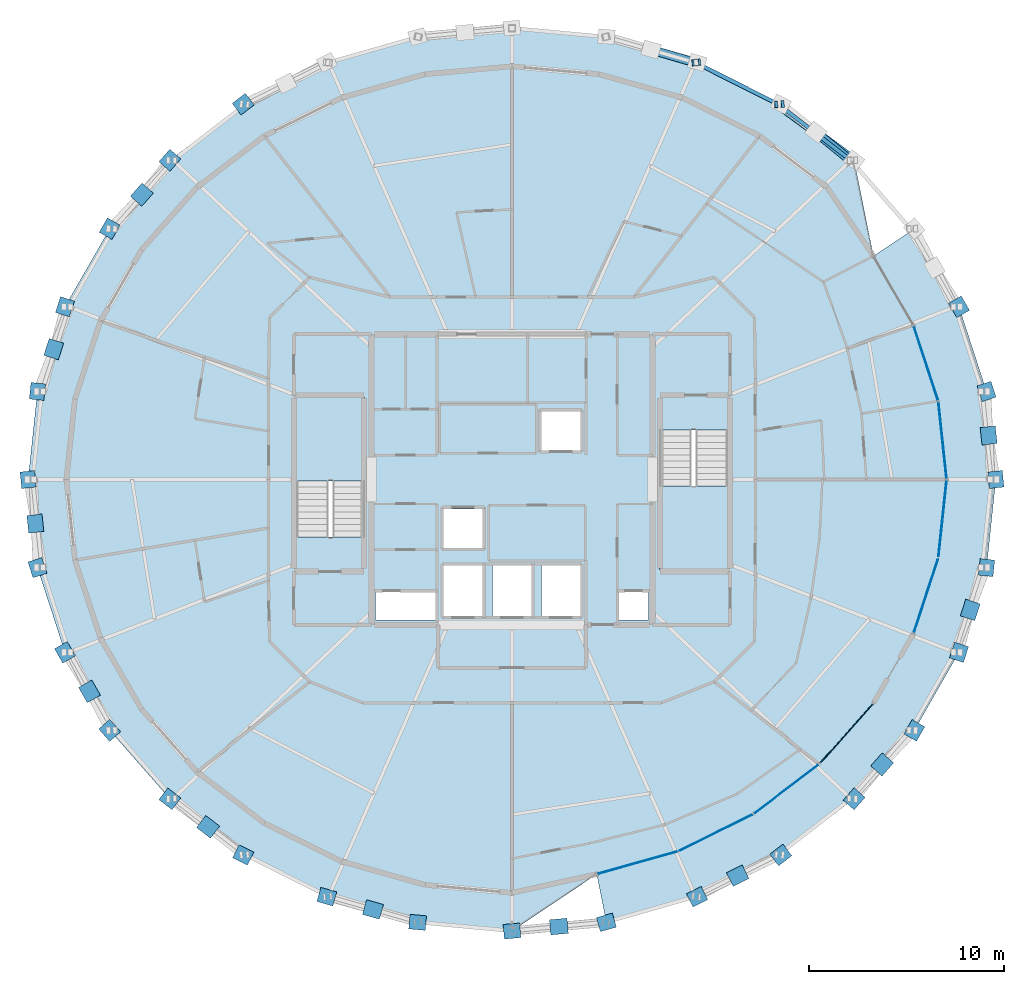
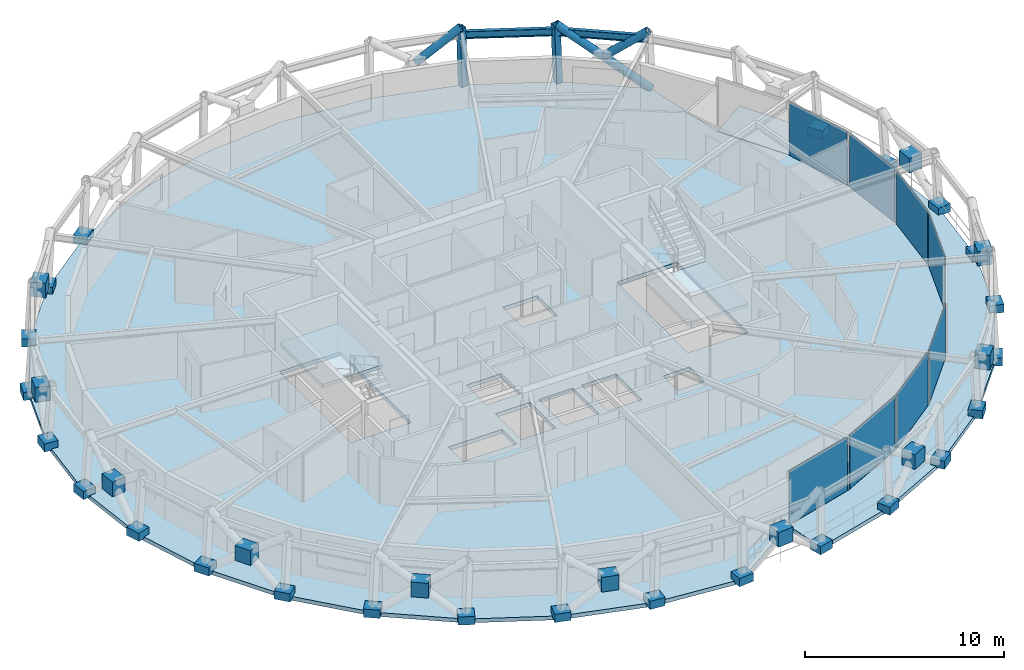
# One storey, part 11 of 17: 43 plates, 5 members, 4 slabs, 2 beams, 4 elements without a shape of their own.
"""IFC4 building model written with IfcOpenShell, lengths in metres."""

import ifcopenshell
import ifcopenshell.guid

model = None  # the IFC model being written
_history = None  # IfcOwnerHistory: only IFC2X3 demands one
_inside = {}  # id of a spatial element -> (the spatial element, [elements in it])
_under = {}  # id of a project, library or spatial element -> (it, [spatial elements below it])
_declared = {}  # id of a project -> (the project, [libraries it declares])
_typed = {}  # id of a type object -> (the type object, [elements of that type])
_made_of = {}  # id of a material, layer set ... -> (it, [elements and type objects made of it])


def new_model(schema):
    """Start an empty IFC model of exactly this schema.

    Asked for "IFC4X3", IfcOpenShell would pick the latest addendum, in which some entities
    have other attributes; the version numbers below select the first issue.
    IFC2X3 requires an IfcOwnerHistory on every rooted entity: one is made here for all.
    """
    global model, _history
    if schema == "IFC4X3":
        model = ifcopenshell.file(schema_version=(4, 3, 0, 0))
    else:
        model = ifcopenshell.file(schema=schema)
    _inside.clear()
    _under.clear()
    _declared.clear()
    _typed.clear()
    _made_of.clear()
    _history = None
    if model.schema == "IFC2X3":
        org = make("IfcOrganization", Name="unknown")
        user = make(
            "IfcPersonAndOrganization",
            ThePerson=make("IfcPerson", FamilyName="unknown"),
            TheOrganization=org,
        )
        app = make(
            "IfcApplication",
            ApplicationDeveloper=org,
            Version="unknown",
            ApplicationFullName="unknown",
            ApplicationIdentifier="unknown",
        )
        _history = make(
            "IfcOwnerHistory",
            OwningUser=user,
            OwningApplication=app,
            ChangeAction="ADDED",
            CreationDate=0,
        )
    return model


def make(cls, **values):
    """One entity of the class cls with the attributes given. An attribute that is None is left unset."""
    return model.create_entity(
        cls, **{name: value for name, value in values.items() if value is not None}
    )


def rooted(cls, **values):
    """An entity with a GlobalId (a new one), such as an element, a storey or a relation."""
    return make(cls, GlobalId=ifcopenshell.guid.new(), OwnerHistory=_history, **values)


def si_unit(unit_type, name, prefix=None):
    """IfcSIUnit, for example si_unit("LENGTHUNIT", "METRE", prefix="MILLI")."""
    return make("IfcSIUnit", UnitType=unit_type, Prefix=prefix, Name=name)


def assignment(units):
    """IfcUnitAssignment: the units of a project."""
    return None if units is None else make("IfcUnitAssignment", Units=units)


def point(xyz):
    """IfcCartesianPoint."""
    return None if xyz is None else make("IfcCartesianPoint", Coordinates=xyz)


def direction(xyz):
    """IfcDirection."""
    return None if xyz is None else make("IfcDirection", DirectionRatios=xyz)


def frame(location, z_axis=None, x_axis=None):
    """IfcAxis2Placement3D, a coordinate frame: its origin and axes. An axis left out is left unset."""
    return make(
        "IfcAxis2Placement3D",
        Location=point(location),
        Axis=direction(z_axis),
        RefDirection=direction(x_axis),
    )


def frame_2d(location, x_axis=None):
    """IfcAxis2Placement2D, a coordinate frame in the plane: its origin and x axis."""
    return make(
        "IfcAxis2Placement2D", Location=point(location), RefDirection=direction(x_axis)
    )


def origin():
    """The frame at (0, 0, 0) with its axes left unset."""
    return frame((0.0, 0.0, 0.0))


def origin_2d():
    """The frame at (0, 0) in the plane with its x axis left unset."""
    return frame_2d((0.0, 0.0))


def place(relative_to, where):
    """IfcLocalPlacement: puts the frame where relative to a parent placement (None: the world)."""
    return make(
        "IfcLocalPlacement", PlacementRelTo=relative_to, RelativePlacement=where
    )


def context(
    kind, dimensions, precision=None, world=None, true_north=None, identifier=None
):
    """IfcGeometricRepresentationContext, for example the 3D "Model" context."""
    return make(
        "IfcGeometricRepresentationContext",
        ContextIdentifier=identifier,
        ContextType=kind,
        CoordinateSpaceDimension=dimensions,
        Precision=precision,
        WorldCoordinateSystem=world,
        TrueNorth=true_north,
    )


def subcontext(parent, identifier, kind, view, scale=None):
    """IfcGeometricRepresentationSubContext, for example "Body" below "Model"."""
    return make(
        "IfcGeometricRepresentationSubContext",
        ContextIdentifier=identifier,
        ContextType=kind,
        ParentContext=parent,
        TargetScale=scale,
        TargetView=view,
    )


def project(units=None, contexts=None):
    """IfcProject with its units and contexts."""
    return rooted(
        "IfcProject",
        Name="project",
        RepresentationContexts=contexts,
        UnitsInContext=assignment(units),
    )


def spatial(cls, under=None, at=None, **own):
    """A site, building, storey or space (cls), placed at a placement, below another one or the project."""
    s = rooted(cls, ObjectPlacement=at, **own)
    if under is not None:
        _under.setdefault(under.id(), (under, []))[1].append(s)
    return s


def polyline(points):
    """IfcPolyline through the points."""
    return make("IfcPolyline", Points=[point(p) for p in points])


def profile(cls, at=None, kind="AREA", **sizes):
    """A parametric profile (cls). Its sizes go by their IFC names, for example OverallWidth=200.0."""
    return make(cls, ProfileType=kind, Position=at, **sizes)


def rectangle(**sizes):
    """IfcRectangleProfileDef."""
    return profile("IfcRectangleProfileDef", **sizes)


def hollow_rectangle(**sizes):
    """IfcRectangleHollowProfileDef."""
    return profile("IfcRectangleHollowProfileDef", **sizes)


def hollow_circle(**sizes):
    """IfcCircleHollowProfileDef."""
    return profile("IfcCircleHollowProfileDef", **sizes)


def i_section(**sizes):
    """IfcIShapeProfileDef."""
    return profile("IfcIShapeProfileDef", **sizes)


def outline(outer, holes=None, kind="AREA"):
    """IfcArbitraryClosedProfileDef: a profile drawn as a closed curve; with holes, ...WithVoids."""
    if holes is None:
        return make("IfcArbitraryClosedProfileDef", ProfileType=kind, OuterCurve=outer)
    return make(
        "IfcArbitraryProfileDefWithVoids",
        ProfileType=kind,
        OuterCurve=outer,
        InnerCurves=holes,
    )


def extrude(swept, where, along, depth):
    """IfcExtrudedAreaSolid: the profile swept, set in the frame where, extruded along a direction by depth."""
    return make(
        "IfcExtrudedAreaSolid",
        SweptArea=swept,
        Position=where,
        ExtrudedDirection=direction(along),
        Depth=depth,
    )


def shape(context_of_items, identifier, shape_type, items):
    """IfcShapeRepresentation: the items that make up one representation, for example the "Body"."""
    return make(
        "IfcShapeRepresentation",
        ContextOfItems=context_of_items,
        RepresentationIdentifier=identifier,
        RepresentationType=shape_type,
        Items=items,
    )


def material(Name=None, Category=None):
    """IfcMaterial."""
    return make("IfcMaterial", Name=Name, Category=Category)


def layer(
    of_material, thickness, ventilated=None, Name=None, Category=None, Priority=None
):
    """IfcMaterialLayer: one layer of a wall or slab, of a material (None: an air gap)."""
    return make(
        "IfcMaterialLayer",
        Material=of_material,
        LayerThickness=thickness,
        IsVentilated=ventilated,
        Name=Name,
        Category=Category,
        Priority=Priority,
    )


def layer_set(layers, Name=None):
    """IfcMaterialLayerSet."""
    return make("IfcMaterialLayerSet", MaterialLayers=layers, LayerSetName=Name)


def material_profile(
    of_material, cross_section, Name=None, Category=None, Priority=None
):
    """IfcMaterialProfile: a cross section and its material."""
    return make(
        "IfcMaterialProfile",
        Name=Name,
        Material=of_material,
        Profile=cross_section,
        Priority=Priority,
        Category=Category,
    )


def profile_set(profiles, Name=None, composite=None):
    """IfcMaterialProfileSet."""
    return make(
        "IfcMaterialProfileSet",
        Name=Name,
        MaterialProfiles=profiles,
        CompositeProfile=composite,
    )


def made_of(thing, what):
    """Note that an element or type object is made of a material, layer set ...; save() writes the relation."""
    if what is not None:
        _made_of.setdefault(what.id(), (what, []))[1].append(thing)
    return thing


def type_object(cls, material=None, **own):
    """A type object (cls), such as IfcWallType, which elements share."""
    return made_of(rooted(cls, **own), material)


def element(
    cls,
    number,
    at=None,
    inside=None,
    cuts=None,
    type_object=None,
    material=None,
    context=None,
    identifier="Body",
    shape_type=None,
    held_by="IfcProductDefinitionShape",
    body=None,
    shapes=None,
    **own,
):
    """One element of the class cls, such as IfcWall. Its Tag is "e" and its number.

    at: its placement. inside: the storey or other place that contains it. cuts: it is an
    opening in that element (IfcRelVoidsElement). A single representation is given by context,
    identifier, shape_type and body (its items); several are given by shapes. held_by: the class
    of the entity that holds the representations. save() writes the other relations.
    """
    e = rooted(cls, Tag="e%d" % number, ObjectPlacement=at, **own)
    if body is not None:
        shapes = [shape(context, identifier, shape_type, body)]
    if shapes is not None:
        e.Representation = make(held_by, Representations=shapes)
    if inside is not None:
        _inside.setdefault(inside.id(), (inside, []))[1].append(e)
    if cuts is not None:
        rooted(
            "IfcRelVoidsElement", RelatingBuildingElement=cuts, RelatedOpeningElement=e
        )
    if type_object is not None:
        _typed.setdefault(type_object.id(), (type_object, []))[1].append(e)
    return made_of(e, material)


def aggregate(whole, parts):
    """IfcRelAggregates: a whole, such as a stair, and the parts it consists of."""
    return rooted("IfcRelAggregates", RelatingObject=whole, RelatedObjects=parts)


def save(model, path):
    """Write the relations noted so far, then the file.

    IfcRelAggregates (storeys below a building ...), IfcRelContainedInSpatialStructure (elements
    in a storey), IfcRelDefinesByType, IfcRelAssociatesMaterial and IfcRelDeclares: one each for
    every whole, place, type object, material and project.
    """
    for whole, parts in _under.values():
        aggregate(whole, parts)
    for where, things in _inside.values():
        rooted(
            "IfcRelContainedInSpatialStructure",
            RelatedElements=things,
            RelatingStructure=where,
        )
    for kind, things in _typed.values():
        rooted("IfcRelDefinesByType", RelatedObjects=things, RelatingType=kind)
    for what, things in _made_of.values():
        rooted("IfcRelAssociatesMaterial", RelatedObjects=things, RelatingMaterial=what)
    for by, libraries in _declared.values():
        rooted("IfcRelDeclares", RelatingContext=by, RelatedDefinitions=libraries)
    model.write(path)


model = new_model("IFC4")

# Units and contexts
model_context = context("Model", 3, precision=1e-05, world=origin(), true_north=direction((0.0, 1.0)))
body_context = subcontext(model_context, "Body", "Model", "MODEL_VIEW")
ifc_project = project(units=[si_unit("LENGTHUNIT", "METRE"), si_unit("AREAUNIT", "SQUARE_METRE"), si_unit("VOLUMEUNIT", "CUBIC_METRE"), si_unit("PLANEANGLEUNIT", "RADIAN"), si_unit("MASSUNIT", "GRAM", prefix="KILO")], contexts=[model_context])

# Site, building, storey
site_placement = place(None, origin())
site = spatial("IfcSite", under=ifc_project, at=site_placement, CompositionType="ELEMENT")
building_placement = place(site_placement, origin())
building = spatial("IfcBuilding", under=site, at=building_placement, Name="Veldorina Hangang Commons", CompositionType="ELEMENT")
storey_placement = place(building_placement, frame((0.0, 0.0, 225.60009765625)))
storey = spatial("IfcBuildingStorey", under=building, at=storey_placement, Name="L58", CompositionType="ELEMENT", Elevation=225.60009765625)

# Beams
ifc_material_1 = material(Name="Steel SM355-TMC", Category="steel")
ifc_material_profile_1 = material_profile(ifc_material_1, i_section(OverallWidth=0.199951171875, OverallDepth=0.449951171875, WebThickness=0.009033203125, FlangeThickness=0.013916015625, FilletRadius=0.01611328125, at=origin_2d()), Name="H-450x200x9x14")
ifc_profile_set_1 = profile_set([ifc_material_profile_1], Name="Steel SM355-TMC")
beam_type = type_object("IfcBeamType", Name="BM-RB450", PredefinedType="BEAM", material=ifc_profile_set_1)
beam_1_placement = place(storey_placement, frame((49.37255859375, 40.356689453125, 3.135009765625), z_axis=(-0.791312388502, 0.611412057293, 0.0), x_axis=(-0.611412057293, -0.791312388502, 0.0)))
element("IfcBeam", 1, at=beam_1_placement, inside=storey, type_object=beam_type, Name="L58 perimeter hoop ring beam 04", PredefinedType="BEAM", context=body_context, shape_type="SweptSolid", body=[
    extrude(i_section(OverallWidth=0.199951171875, OverallDepth=0.449951171875, WebThickness=0.009033203125, FlangeThickness=0.013916015625, FilletRadius=0.01611328125, at=origin_2d()), origin(), (0.0, 0.0, 1.0), 4.705078125),
])
beam_2_placement = place(storey_placement, frame((45.6494140625, 43.2333984375, 3.135009765625), z_axis=(-0.893243145292, 0.449573890911, 0.0), x_axis=(-0.449573890911, -0.893243145292, 0.0)))
element("IfcBeam", 2, at=beam_2_placement, inside=storey, type_object=beam_type, Name="L58 perimeter hoop ring beam 05", PredefinedType="BEAM", context=body_context, shape_type="SweptSolid", body=[
    extrude(i_section(OverallWidth=0.199951171875, OverallDepth=0.449951171875, WebThickness=0.009033203125, FlangeThickness=0.013916015625, FilletRadius=0.01611328125, at=origin_2d()), origin(), (0.0, 0.0, 1.0), 4.7548828125),
])

# Members
ifc_material_profile_2 = material_profile(ifc_material_1, hollow_circle(Radius=0.22509765625, WallThickness=0.02197265625, at=origin_2d()), Name="CHS-450x22")
ifc_profile_set_2 = profile_set([ifc_material_profile_2], Name="Steel SM355-TMC")
member_type_1 = type_object("IfcMemberType", Name="DG-CHS450", PredefinedType="BRACE", material=ifc_profile_set_2)
member_1_placement = place(storey_placement, frame((49.53662109375, 40.364013671875, 0.0), z_axis=(-0.647062785432, 0.475105850204, 0.5963087982), x_axis=(-0.591844045149, -0.806052495947, 0.0)))
element("IfcMember", 3, at=member_1_placement, inside=storey, type_object=member_type_1, Name="L58 continuous perimeter diagrid brace 04", PredefinedType="BRACE", context=body_context, shape_type="SweptSolid", body=[
    extrude(hollow_circle(Radius=0.22509765625, WallThickness=0.02197265625, at=origin_2d()), origin(), (0.0, 0.0, 1.0), 6.036865234375),
])
member_2_placement = place(storey_placement, frame((47.57666015625, 41.802978515625, 1.80615234375), z_axis=(0.609405596795, -0.497871606643, 0.617048362686), x_axis=(0.632679684757, 0.774413595242, 0.0)))
element("IfcMember", 4, at=member_2_placement, inside=storey, type_object=member_type_1, Name="L58 split perimeter diagrid upper brace 05", PredefinedType="BRACE", context=body_context, shape_type="SweptSolid", body=[
    extrude(hollow_circle(Radius=0.22509765625, WallThickness=0.02197265625, at=origin_2d()), origin(), (0.0, 0.0, 1.0), 2.906982421875),
])
member_3_placement = place(storey_placement, frame((39.126708984375, 46.03662109375, 1.808837890625), z_axis=(0.763884492069, -0.225224739082, 0.60477623935), x_axis=(0.282805158285, 0.95917737799, 0.0)))
element("IfcMember", 5, at=member_3_placement, inside=storey, type_object=member_type_1, Name="L58 split perimeter diagrid upper brace 07", PredefinedType="BRACE", context=body_context, shape_type="SweptSolid", body=[
    extrude(hollow_circle(Radius=0.22509765625, WallThickness=0.02197265625, at=origin_2d()), origin(), (0.0, 0.0, 1.0), 2.96142578125),
])
ifc_material_profile_3 = material_profile(ifc_material_1, hollow_rectangle(XDim=0.35009765625, YDim=0.35009765625, WallThickness=0.01611328125, at=origin_2d()), Name="SHS-350x350x16")
ifc_profile_set_3 = profile_set([ifc_material_profile_3], Name="Steel SM355-TMC")
member_type_2 = type_object("IfcMemberType", Name="STR-SHS350", PredefinedType="STRUT", material=ifc_profile_set_3)
member_4_placement = place(storey_placement, frame((45.778564453125, 43.2421875, 0.0), z_axis=(-0.041131500621, -0.002778239745, 0.999149879168), x_axis=(0.067391746744, -0.997726592044, 0.0)))
element("IfcMember", 6, at=member_4_placement, inside=storey, type_object=member_type_2, Name="L58 perimeter ring node post 05", PredefinedType="STRUT", context=body_context, shape_type="SweptSolid", body=[
    extrude(hollow_rectangle(XDim=0.35009765625, YDim=0.35009765625, WallThickness=0.01611328125, at=origin_2d()), origin(), (0.0, 0.0, 1.0), 3.60302734375),
])
member_5_placement = place(storey_placement, frame((41.49072265625, 45.380859375, 0.0), z_axis=(-0.028269332956, -0.003118439607, 0.999595478255), x_axis=(0.109646640294, -0.993970630488, 0.0)))
element("IfcMember", 7, at=member_5_placement, inside=storey, type_object=member_type_2, Name="L58 perimeter ring node post 06", PredefinedType="STRUT", context=body_context, shape_type="SweptSolid", body=[
    extrude(hollow_rectangle(XDim=0.35009765625, YDim=0.35009765625, WallThickness=0.01611328125, at=origin_2d()), origin(), (0.0, 0.0, 1.0), 3.601318359375),
])

# Curtain wall, plates
ifc_material_2 = material(Name="Glass Low-E Selective", Category="glass")
ifc_layer_1 = layer(ifc_material_2, 0.179931640625)
ifc_layer_set_1 = layer_set([ifc_layer_1], Name="Glass Low-E Selective")
curtain_wall_type = type_object("IfcCurtainWallType", Name="CW-SYS-Z3", PredefinedType="NOTDEFINED", material=ifc_layer_set_1)
curtain_wall_1_placement = place(storey_placement, origin())
curtain_wall_1 = element("IfcCurtainWall", 8, at=curtain_wall_1_placement, inside=storey, type_object=curtain_wall_type, Name="L58 unitised curtain wall CW-L58-R1", PredefinedType="NOTDEFINED")
ifc_material_3 = material(Name="Glass Low-E Triple IGU", Category="glass")
ifc_layer_2 = layer(ifc_material_3, 0.0400390625)
ifc_layer_set_2 = layer_set([ifc_layer_2], Name="Glass Low-E Triple IGU")
plate_type_1 = type_object("IfcPlateType", Name="CW-PNL-VIS", PredefinedType="CURTAIN_PANEL", material=ifc_layer_set_2)
plate_1_placement = place(storey_placement, frame((38.4365234375, 4.360595703125, 0.014892578125), z_axis=(0.0, 0.0, 1.0), x_axis=(0.962771992819, 0.270314797678, 0.0)))
plate_1 = element("IfcPlate", 9, at=plate_1_placement, type_object=plate_type_1, Name="CW-L58-R1 facet 1 glazed vision panel", PredefinedType="CURTAIN_PANEL", context=body_context, shape_type="SweptSolid", body=[
    extrude(rectangle(XDim=4.161376953125, YDim=0.0400390625, at=origin_2d()), origin(), (0.0, 0.0, 1.0), 3.2900390625),
])
plate_2_placement = place(storey_placement, frame((42.452392578125, 5.900146484375, 0.014892578125), z_axis=(0.0, 0.0, 1.0), x_axis=(0.896308497982, 0.443431027834, 0.0)))
plate_2 = element("IfcPlate", 10, at=plate_2_placement, type_object=plate_type_1, Name="CW-L58-R1 facet 2 glazed vision panel", PredefinedType="CURTAIN_PANEL", context=body_context, shape_type="SweptSolid", body=[
    extrude(rectangle(XDim=4.11767578125, YDim=0.0400390625, at=origin_2d()), origin(), (0.0, 0.0, 1.0), 3.2900390625),
])
plate_3_placement = place(storey_placement, frame((46.066650390625, 8.135498046875, 0.014892578125), z_axis=(0.0, 0.0, 1.0), x_axis=(0.796318824597, 0.604877119416, 0.0)))
plate_3 = element("IfcPlate", 11, at=plate_3_placement, type_object=plate_type_1, Name="CW-L58-R1 facet 3 glazed vision panel", PredefinedType="CURTAIN_PANEL", context=body_context, shape_type="SweptSolid", body=[
    extrude(rectangle(XDim=4.06005859375, YDim=0.0400390625, at=origin_2d()), origin(), (0.0, 0.0, 1.0), 3.2900390625),
])
plate_4_placement = place(storey_placement, frame((49.14013671875, 10.980224609375, 0.014892578125), z_axis=(0.0, 0.0, 1.0), x_axis=(0.663430108194, 0.748238258539, 0.0)))
plate_4 = element("IfcPlate", 12, at=plate_4_placement, type_object=plate_type_1, Name="CW-L58-R1 facet 4 glazed vision panel", PredefinedType="CURTAIN_PANEL", context=body_context, shape_type="SweptSolid", body=[
    extrude(rectangle(XDim=3.99658203125, YDim=0.0400390625, at=origin_2d()), origin(), (0.0, 0.0, 1.0), 3.2900390625),
])
aggregate(curtain_wall_1, [plate_1, plate_2, plate_3, plate_4])

curtain_wall_2_placement = place(storey_placement, origin())
curtain_wall_2 = element("IfcCurtainWall", 13, at=curtain_wall_2_placement, inside=storey, type_object=curtain_wall_type, Name="L58 unitised curtain wall CW-L58-R2", PredefinedType="NOTDEFINED")
plate_5_placement = place(storey_placement, frame((53.218505859375, 18.04248046875, 0.014892578125), z_axis=(0.0, 0.0, 1.0), x_axis=(0.311439452361, 0.950265998294, 0.0)))
plate_5 = element("IfcPlate", 14, at=plate_5_placement, type_object=plate_type_1, Name="CW-L58-R2 facet 1 glazed vision panel", PredefinedType="CURTAIN_PANEL", context=body_context, shape_type="SweptSolid", body=[
    extrude(rectangle(XDim=3.89111328125, YDim=0.0400390625, at=origin_2d()), origin(), (0.0, 0.0, 1.0), 3.2900390625),
])
plate_6_placement = place(storey_placement, frame((54.06640625, 21.98828125, 0.014892578125), z_axis=(0.0, 0.0, 1.0), x_axis=(0.105812844165, 0.99438606286, 0.0)))
plate_6 = element("IfcPlate", 15, at=plate_6_placement, type_object=plate_type_1, Name="CW-L58-R2 facet 2 glazed vision panel", PredefinedType="CURTAIN_PANEL", context=body_context, shape_type="SweptSolid", body=[
    extrude(rectangle(XDim=3.865966796875, YDim=0.0400390625, at=origin_2d()), origin(), (0.0, 0.0, 1.0), 3.2900390625),
])
plate_7_placement = place(storey_placement, frame((54.06640625, 26.01171875, 0.014892578125), z_axis=(0.0, 0.0, 1.0), x_axis=(-0.105812844165, 0.99438606286, 0.0)))
plate_7 = element("IfcPlate", 16, at=plate_7_placement, type_object=plate_type_1, Name="CW-L58-R2 facet 3 glazed vision panel", PredefinedType="CURTAIN_PANEL", context=body_context, shape_type="SweptSolid", body=[
    extrude(rectangle(XDim=3.865966796875, YDim=0.0400390625, at=origin_2d()), origin(), (0.0, 0.0, 1.0), 3.2900390625),
])
plate_8_placement = place(storey_placement, frame((53.218505859375, 29.95751953125, 0.014892578125), z_axis=(0.0, 0.0, 1.0), x_axis=(-0.311439452361, 0.950265998294, 0.0)))
plate_8 = element("IfcPlate", 17, at=plate_8_placement, type_object=plate_type_1, Name="CW-L58-R2 facet 4 glazed vision panel", PredefinedType="CURTAIN_PANEL", context=body_context, shape_type="SweptSolid", body=[
    extrude(rectangle(XDim=3.89111328125, YDim=0.0400390625, at=origin_2d()), origin(), (0.0, 0.0, 1.0), 3.2900390625),
])
aggregate(curtain_wall_2, [plate_5, plate_6, plate_7, plate_8])

# Plates
ifc_material_4 = material(Name="Steel SM460-TMC", Category="steel")
ifc_layer_3 = layer(ifc_material_4, 0.035888671875)
ifc_layer_set_3 = layer_set([ifc_layer_3], Name="Steel SM460-TMC")
plate_type_2 = type_object("IfcPlateType", Name="PL-STAR-36", PredefinedType="USERDEFINED", material=ifc_layer_set_3)
plate_9_placement = place(storey_placement, frame((56.800537109375, 24.0, -0.090087890625), z_axis=(0.0, 0.0, 1.0), x_axis=(-0.104962395342, 0.994476191552, 0.0)))
element("IfcPlate", 18, at=plate_9_placement, inside=storey, type_object=plate_type_2, Name="L58 diagrid star-node gusset plate 00", ObjectType="GUSSET PLATE", PredefinedType="USERDEFINED", context=body_context, shape_type="SweptSolid", body=[
    extrude(rectangle(XDim=0.85009765625, YDim=0.75, at=origin_2d()), origin(), (0.0, 0.0, 1.0), 0.5),
])
plate_10_placement = place(storey_placement, frame((56.431396484375, 26.257080078125, 1.3505859375), z_axis=(0.0, 0.0, 1.0), x_axis=(-0.104962395342, 0.994476191552, 0.0)))
element("IfcPlate", 19, at=plate_10_placement, inside=storey, type_object=plate_type_2, Name="L58 diagrid X-crossing star-node gusset plate 00", ObjectType="GUSSET PLATE", PredefinedType="USERDEFINED", context=body_context, shape_type="SweptSolid", body=[
    extrude(rectangle(XDim=0.89990234375, YDim=0.780029296875, at=origin_2d()), origin(), (0.0, 0.0, 1.0), 0.89990234375),
])
for number, where, z_axis, x_axis, name in (
    (20, (56.32421875, 28.514892578125, -0.090087890625), (0.0, 0.0, 1.0), (-0.30916638217, 0.951007964286, 0.0), "L58 diagrid star-node gusset plate 01"),
    (21, (54.912841796875, 32.856201171875, -0.090087890625), (0.0, 0.0, 1.0), (-0.497049685957, 0.867722080905, 0.0), "L58 diagrid star-node gusset plate 02"),
    (22, (18.221435546875, 43.2421875, -0.090087890625), (0.0, 0.0, 1.0), (-0.793926731983, -0.608013440841, 0.0), "L58 diagrid star-node gusset plate 11"),
    (23, (14.46337890625, 40.364013671875, -0.090087890625), (0.0, 0.0, 1.0), (-0.660408044351, -0.750906928292, 0.0), "L58 diagrid star-node gusset plate 12"),
):
    element("IfcPlate", number, at=place(storey_placement, frame(where, z_axis=z_axis, x_axis=x_axis)), inside=storey, type_object=plate_type_2, Name=name, ObjectType="GUSSET PLATE", PredefinedType="USERDEFINED", context=body_context, shape_type="SweptSolid", body=[
        extrude(rectangle(XDim=0.85009765625, YDim=0.75, at=origin_2d()), origin(), (0.0, 0.0, 1.0), 0.5),
    ])
plate_11_placement = place(storey_placement, frame((13.0283203125, 38.602783203125, 1.3544921875), z_axis=(0.0, 0.0, 1.0), x_axis=(-0.660408044351, -0.750906928292, 0.0)))
element("IfcPlate", 24, at=plate_11_placement, inside=storey, type_object=plate_type_2, Name="L58 diagrid X-crossing star-node gusset plate 12", ObjectType="GUSSET PLATE", PredefinedType="USERDEFINED", context=body_context, shape_type="SweptSolid", body=[
    extrude(rectangle(XDim=0.89990234375, YDim=0.780029296875, at=origin_2d()), origin(), (0.0, 0.0, 1.0), 0.89990234375),
])
for number, where, z_axis, x_axis, name in (
    (25, (11.379150390625, 36.857177734375, -0.090087890625), (0.0, 0.0, 1.0), (-0.497049685957, -0.867722080905, 0.0), "L58 diagrid star-node gusset plate 13"),
    (26, (9.087158203125, 32.856201171875, -0.090087890625), (0.0, 0.0, 1.0), (-0.30916638217, -0.951007964286, 0.0), "L58 diagrid star-node gusset plate 14"),
):
    element("IfcPlate", number, at=place(storey_placement, frame(where, z_axis=z_axis, x_axis=x_axis)), inside=storey, type_object=plate_type_2, Name=name, ObjectType="GUSSET PLATE", PredefinedType="USERDEFINED", context=body_context, shape_type="SweptSolid", body=[
        extrude(rectangle(XDim=0.85009765625, YDim=0.75, at=origin_2d()), origin(), (0.0, 0.0, 1.0), 0.5),
    ])
plate_12_placement = place(storey_placement, frame((8.511962890625, 30.6826171875, 1.351318359375), z_axis=(0.0, 0.0, 1.0), x_axis=(-0.30916638217, -0.951007964286, 0.0)))
element("IfcPlate", 27, at=plate_12_placement, inside=storey, type_object=plate_type_2, Name="L58 diagrid X-crossing star-node gusset plate 14", ObjectType="GUSSET PLATE", PredefinedType="USERDEFINED", context=body_context, shape_type="SweptSolid", body=[
    extrude(rectangle(XDim=0.89990234375, YDim=0.780029296875, at=origin_2d()), origin(), (0.0, 0.0, 1.0), 0.89990234375),
])
for number, where, z_axis, x_axis, name in (
    (28, (7.67578125, 28.514892578125, -0.090087890625), (0.0, 0.0, 1.0), (-0.104962395342, -0.994476191552, 0.0), "L58 diagrid star-node gusset plate 15"),
    (29, (7.199462890625, 24.0, -0.090087890625), (0.0, 0.0, 1.0), (0.104962395342, -0.994476191552, 0.0), "L58 diagrid star-node gusset plate 16"),
):
    element("IfcPlate", number, at=place(storey_placement, frame(where, z_axis=z_axis, x_axis=x_axis)), inside=storey, type_object=plate_type_2, Name=name, ObjectType="GUSSET PLATE", PredefinedType="USERDEFINED", context=body_context, shape_type="SweptSolid", body=[
        extrude(rectangle(XDim=0.85009765625, YDim=0.75, at=origin_2d()), origin(), (0.0, 0.0, 1.0), 0.5),
    ])
plate_13_placement = place(storey_placement, frame((7.568603515625, 21.742919921875, 1.3505859375), z_axis=(0.0, 0.0, 1.0), x_axis=(0.104962395342, -0.994476191552, 0.0)))
element("IfcPlate", 30, at=plate_13_placement, inside=storey, type_object=plate_type_2, Name="L58 diagrid X-crossing star-node gusset plate 16", ObjectType="GUSSET PLATE", PredefinedType="USERDEFINED", context=body_context, shape_type="SweptSolid", body=[
    extrude(rectangle(XDim=0.89990234375, YDim=0.780029296875, at=origin_2d()), origin(), (0.0, 0.0, 1.0), 0.89990234375),
])
for number, where, z_axis, x_axis, name in (
    (31, (7.67578125, 19.485107421875, -0.090087890625), (0.0, 0.0, 1.0), (0.30916638217, -0.951007964286, 0.0), "L58 diagrid star-node gusset plate 17"),
    (32, (9.087158203125, 15.143798828125, -0.090087890625), (0.0, 0.0, 1.0), (0.497049685957, -0.867722080905, 0.0), "L58 diagrid star-node gusset plate 18"),
):
    element("IfcPlate", number, at=place(storey_placement, frame(where, z_axis=z_axis, x_axis=x_axis)), inside=storey, type_object=plate_type_2, Name=name, ObjectType="GUSSET PLATE", PredefinedType="USERDEFINED", context=body_context, shape_type="SweptSolid", body=[
        extrude(rectangle(XDim=0.85009765625, YDim=0.75, at=origin_2d()), origin(), (0.0, 0.0, 1.0), 0.5),
    ])
plate_14_placement = place(storey_placement, frame((10.345947265625, 13.1435546875, 1.3525390625), z_axis=(0.0, 0.0, 1.0), x_axis=(0.497049685957, -0.867722080905, 0.0)))
element("IfcPlate", 33, at=plate_14_placement, inside=storey, type_object=plate_type_2, Name="L58 diagrid X-crossing star-node gusset plate 18", ObjectType="GUSSET PLATE", PredefinedType="USERDEFINED", context=body_context, shape_type="SweptSolid", body=[
    extrude(rectangle(XDim=0.89990234375, YDim=0.780029296875, at=origin_2d()), origin(), (0.0, 0.0, 1.0), 0.89990234375),
])
for number, where, z_axis, x_axis, name in (
    (34, (11.379150390625, 11.142822265625, -0.090087890625), (0.0, 0.0, 1.0), (0.660408044351, -0.750906928292, 0.0), "L58 diagrid star-node gusset plate 19"),
    (35, (14.46337890625, 7.635986328125, -0.090087890625), (0.0, 0.0, 1.0), (0.793926731983, -0.608013440841, 0.0), "L58 diagrid star-node gusset plate 20"),
):
    element("IfcPlate", number, at=place(storey_placement, frame(where, z_axis=z_axis, x_axis=x_axis)), inside=storey, type_object=plate_type_2, Name=name, ObjectType="GUSSET PLATE", PredefinedType="USERDEFINED", context=body_context, shape_type="SweptSolid", body=[
        extrude(rectangle(XDim=0.85009765625, YDim=0.75, at=origin_2d()), origin(), (0.0, 0.0, 1.0), 0.5),
    ])
plate_15_placement = place(storey_placement, frame((16.42333984375, 6.197021484375, 1.356201171875), z_axis=(0.0, 0.0, 1.0), x_axis=(0.793926731983, -0.608013440841, 0.0)))
element("IfcPlate", 36, at=plate_15_placement, inside=storey, type_object=plate_type_2, Name="L58 diagrid X-crossing star-node gusset plate 20", ObjectType="GUSSET PLATE", PredefinedType="USERDEFINED", context=body_context, shape_type="SweptSolid", body=[
    extrude(rectangle(XDim=0.89990234375, YDim=0.780029296875, at=origin_2d()), origin(), (0.0, 0.0, 1.0), 0.89990234375),
])
for number, where, z_axis, x_axis, name in (
    (37, (18.221435546875, 4.7578125, -0.090087890625), (0.0, 0.0, 1.0), (0.894864261973, -0.446338383565, 0.0), "L58 diagrid star-node gusset plate 21"),
    (38, (22.50927734375, 2.619140625, -0.090087890625), (0.0, 0.0, 1.0), (0.962194228931, -0.272364215364, 0.0), "L58 diagrid star-node gusset plate 22"),
):
    element("IfcPlate", number, at=place(storey_placement, frame(where, z_axis=z_axis, x_axis=x_axis)), inside=storey, type_object=plate_type_2, Name=name, ObjectType="GUSSET PLATE", PredefinedType="USERDEFINED", context=body_context, shape_type="SweptSolid", body=[
        extrude(rectangle(XDim=0.85009765625, YDim=0.75, at=origin_2d()), origin(), (0.0, 0.0, 1.0), 0.5),
    ])
plate_16_placement = place(storey_placement, frame((24.873291015625, 1.96337890625, 1.35888671875), z_axis=(0.0, 0.0, 1.0), x_axis=(0.962194228931, -0.272364215364, 0.0)))
element("IfcPlate", 39, at=plate_16_placement, inside=storey, type_object=plate_type_2, Name="L58 diagrid X-crossing star-node gusset plate 22", ObjectType="GUSSET PLATE", PredefinedType="USERDEFINED", context=body_context, shape_type="SweptSolid", body=[
    extrude(rectangle(XDim=0.89990234375, YDim=0.780029296875, at=origin_2d()), origin(), (0.0, 0.0, 1.0), 0.89990234375),
])
for number, where, z_axis, x_axis, name in (
    (40, (27.16162109375, 1.30224609375, -0.090087890625), (0.0, 0.0, 1.0), (0.995803330418, -0.091518998724, 0.0), "L58 diagrid star-node gusset plate 23"),
    (41, (32.0, 0.857666015625, -0.090087890625), (0.0, 0.0, 1.0), (0.995803330418, 0.091518998724, 0.0), "L58 diagrid star-node gusset plate 24"),
):
    element("IfcPlate", number, at=place(storey_placement, frame(where, z_axis=z_axis, x_axis=x_axis)), inside=storey, type_object=plate_type_2, Name=name, ObjectType="GUSSET PLATE", PredefinedType="USERDEFINED", context=body_context, shape_type="SweptSolid", body=[
        extrude(rectangle(XDim=0.85009765625, YDim=0.75, at=origin_2d()), origin(), (0.0, 0.0, 1.0), 0.5),
    ])
plate_17_placement = place(storey_placement, frame((34.406005859375, 1.087158203125, 1.359619140625), z_axis=(0.0, 0.0, 1.0), x_axis=(0.995803330418, 0.091518998724, 0.0)))
element("IfcPlate", 42, at=plate_17_placement, inside=storey, type_object=plate_type_2, Name="L58 diagrid X-crossing star-node gusset plate 24", ObjectType="GUSSET PLATE", PredefinedType="USERDEFINED", context=body_context, shape_type="SweptSolid", body=[
    extrude(rectangle(XDim=0.89990234375, YDim=0.780029296875, at=origin_2d()), origin(), (0.0, 0.0, 1.0), 0.89990234375),
])
for number, where, z_axis, x_axis, name in (
    (43, (36.83837890625, 1.30224609375, -0.090087890625), (0.0, 0.0, 1.0), (0.962194228931, 0.272364215364, 0.0), "L58 diagrid star-node gusset plate 25"),
    (44, (41.49072265625, 2.619140625, -0.090087890625), (0.0, 0.0, 1.0), (0.894864261973, 0.446338383565, 0.0), "L58 diagrid star-node gusset plate 26"),
):
    element("IfcPlate", number, at=place(storey_placement, frame(where, z_axis=z_axis, x_axis=x_axis)), inside=storey, type_object=plate_type_2, Name=name, ObjectType="GUSSET PLATE", PredefinedType="USERDEFINED", context=body_context, shape_type="SweptSolid", body=[
        extrude(rectangle(XDim=0.85009765625, YDim=0.75, at=origin_2d()), origin(), (0.0, 0.0, 1.0), 0.5),
    ])
plate_18_placement = place(storey_placement, frame((43.569580078125, 3.6982421875, 1.35791015625), z_axis=(0.0, 0.0, 1.0), x_axis=(0.894864261973, 0.446338383565, 0.0)))
element("IfcPlate", 45, at=plate_18_placement, inside=storey, type_object=plate_type_2, Name="L58 diagrid X-crossing star-node gusset plate 26", ObjectType="GUSSET PLATE", PredefinedType="USERDEFINED", context=body_context, shape_type="SweptSolid", body=[
    extrude(rectangle(XDim=0.89990234375, YDim=0.780029296875, at=origin_2d()), origin(), (0.0, 0.0, 1.0), 0.89990234375),
])
for number, where, z_axis, x_axis, name in (
    (46, (45.778564453125, 4.7578125, -0.090087890625), (0.0, 0.0, 1.0), (0.793926731983, 0.608013440841, 0.0), "L58 diagrid star-node gusset plate 27"),
    (47, (49.53662109375, 7.635986328125, -0.090087890625), (0.0, 0.0, 1.0), (0.660408044351, 0.750906928292, 0.0), "L58 diagrid star-node gusset plate 28"),
):
    element("IfcPlate", number, at=place(storey_placement, frame(where, z_axis=z_axis, x_axis=x_axis)), inside=storey, type_object=plate_type_2, Name=name, ObjectType="GUSSET PLATE", PredefinedType="USERDEFINED", context=body_context, shape_type="SweptSolid", body=[
        extrude(rectangle(XDim=0.85009765625, YDim=0.75, at=origin_2d()), origin(), (0.0, 0.0, 1.0), 0.5),
    ])
plate_19_placement = place(storey_placement, frame((50.9716796875, 9.397216796875, 1.3544921875), z_axis=(0.0, 0.0, 1.0), x_axis=(0.660408044351, 0.750906928292, 0.0)))
element("IfcPlate", 48, at=plate_19_placement, inside=storey, type_object=plate_type_2, Name="L58 diagrid X-crossing star-node gusset plate 28", ObjectType="GUSSET PLATE", PredefinedType="USERDEFINED", context=body_context, shape_type="SweptSolid", body=[
    extrude(rectangle(XDim=0.89990234375, YDim=0.780029296875, at=origin_2d()), origin(), (0.0, 0.0, 1.0), 0.89990234375),
])
for number, where, z_axis, x_axis, name in (
    (49, (52.620849609375, 11.142822265625, -0.090087890625), (0.0, 0.0, 1.0), (0.497049685957, 0.867722080905, 0.0), "L58 diagrid star-node gusset plate 29"),
    (50, (54.912841796875, 15.143798828125, -0.090087890625), (0.0, 0.0, 1.0), (0.30916638217, 0.951007964286, 0.0), "L58 diagrid star-node gusset plate 30"),
):
    element("IfcPlate", number, at=place(storey_placement, frame(where, z_axis=z_axis, x_axis=x_axis)), inside=storey, type_object=plate_type_2, Name=name, ObjectType="GUSSET PLATE", PredefinedType="USERDEFINED", context=body_context, shape_type="SweptSolid", body=[
        extrude(rectangle(XDim=0.85009765625, YDim=0.75, at=origin_2d()), origin(), (0.0, 0.0, 1.0), 0.5),
    ])
plate_20_placement = place(storey_placement, frame((55.488037109375, 17.3173828125, 1.351318359375), z_axis=(0.0, 0.0, 1.0), x_axis=(0.30916638217, 0.951007964286, 0.0)))
element("IfcPlate", 51, at=plate_20_placement, inside=storey, type_object=plate_type_2, Name="L58 diagrid X-crossing star-node gusset plate 30", ObjectType="GUSSET PLATE", PredefinedType="USERDEFINED", context=body_context, shape_type="SweptSolid", body=[
    extrude(rectangle(XDim=0.89990234375, YDim=0.780029296875, at=origin_2d()), origin(), (0.0, 0.0, 1.0), 0.89990234375),
])
plate_21_placement = place(storey_placement, frame((56.32421875, 19.485107421875, -0.090087890625), z_axis=(0.0, 0.0, 1.0), x_axis=(0.104962395342, 0.994476191552, 0.0)))
element("IfcPlate", 52, at=plate_21_placement, inside=storey, type_object=plate_type_2, Name="L58 diagrid star-node gusset plate 31", ObjectType="GUSSET PLATE", PredefinedType="USERDEFINED", context=body_context, shape_type="SweptSolid", body=[
    extrude(rectangle(XDim=0.85009765625, YDim=0.75, at=origin_2d()), origin(), (0.0, 0.0, 1.0), 0.5),
])

# Slabs
ifc_material_5 = material(Name="Concrete C40/50", Category="concrete")
ifc_layer_4 = layer(ifc_material_5, 0.239990234375)
ifc_layer_set_4 = layer_set([ifc_layer_4], Name="Concrete C40/50")
slab_type_1 = type_object("IfcSlabType", Name="SL-FLR-240", PredefinedType="FLOOR", material=ifc_layer_set_4)
slab_1_placement = place(storey_placement, frame((0.0, 0.0, -0.239990234375)))
element("IfcSlab", 53, at=slab_1_placement, inside=storey, type_object=slab_type_1, Name="L58 tower structural floor slab", PredefinedType="FLOOR", context=body_context, shape_type="SweptSolid", body=[
    extrude(outline(polyline([(54.280517578125, 24.0), (53.8525390625, 28.023193359375), (52.584716796875, 31.891845703125), (50.525634765625, 35.457275390625), (49.53662109375, 40.364013671875), (45.778564453125, 43.2421875), (41.49072265625, 45.380859375), (36.83837890625, 46.69775390625), (32.0, 47.142333984375), (27.16162109375, 46.69775390625), (22.50927734375, 45.380859375), (18.221435546875, 43.2421875), (14.46337890625, 40.364013671875), (11.379150390625, 36.857177734375), (9.087158203125, 32.856201171875), (7.67578125, 28.514892578125), (7.199462890625, 24.0), (7.67578125, 19.485107421875), (9.087158203125, 15.143798828125), (11.379150390625, 11.142822265625), (14.46337890625, 7.635986328125), (18.221435546875, 4.7578125), (22.50927734375, 2.619140625), (27.16162109375, 1.30224609375), (32.0, 0.857666015625), (36.3466796875, 3.77392578125), (40.5263671875, 4.947509765625), (44.37841796875, 6.85302734375), (47.7548828125, 9.417724609375), (50.525634765625, 12.542724609375), (52.584716796875, 16.108154296875), (53.8525390625, 19.976806640625), (54.280517578125, 24.0)]), holes=[polyline([(20.949951171875, 21.05810546875), (20.949951171875, 28.199951171875), (24.449951171875, 28.199951171875), (24.449951171875, 21.05810546875), (20.949951171875, 21.05810546875)]), polyline([(43.050048828125, 26.5419921875), (43.050048828125, 19.39990234375), (39.550048828125, 19.39990234375), (39.550048828125, 26.5419921875), (43.050048828125, 26.5419921875)]), polyline([(33.5, 27.5), (35.5, 27.5), (35.5, 25.5), (33.5, 25.5), (33.5, 27.5)]), polyline([(28.5, 22.5), (30.5, 22.5), (30.5, 20.5), (28.5, 20.5), (28.5, 22.5)]), polyline([(28.5, 19.60009765625), (30.5, 19.60009765625), (30.5, 17.0), (28.5, 17.0), (28.5, 19.60009765625)]), polyline([(31.0, 19.60009765625), (33.0, 19.60009765625), (33.0, 17.0), (31.0, 17.0), (31.0, 19.60009765625)]), polyline([(33.5, 19.60009765625), (35.5, 19.60009765625), (35.5, 17.0), (33.5, 17.0), (33.5, 19.60009765625)]), polyline([(25.0, 18.25), (28.10009765625, 18.25), (28.10009765625, 16.800048828125), (25.0, 16.800048828125), (25.0, 18.25)]), polyline([(37.449951171875, 18.25), (39.0, 18.25), (39.0, 16.800048828125), (37.449951171875, 16.800048828125), (37.449951171875, 18.25)])]), origin(), (0.0, 0.0, 1.0), 0.239990234375),
])
slab_2_placement = place(storey_placement, frame((0.0, 0.0, -0.239990234375)))
element("IfcSlab", 54, at=slab_2_placement, inside=storey, type_object=slab_type_1, Name="L58 sky-garden loggia outdoor slab", PredefinedType="FLOOR", context=body_context, shape_type="SweptSolid", body=[
    extrude(outline(polyline([(52.620849609375, 36.857177734375), (54.912841796875, 32.856201171875), (56.32421875, 28.514892578125), (56.800537109375, 24.0), (56.32421875, 19.485107421875), (54.912841796875, 15.143798828125), (52.620849609375, 11.142822265625), (49.53662109375, 7.635986328125), (45.778564453125, 4.7578125), (41.49072265625, 2.619140625), (36.83837890625, 1.30224609375), (36.349853515625, 3.758056640625), (36.35302734375, 3.760009765625), (40.530517578125, 4.93310546875), (40.53173828125, 4.933349609375), (40.533203125, 4.93408203125), (44.385009765625, 6.839599609375), (44.38623046875, 6.84033203125), (44.387451171875, 6.84130859375), (47.763916015625, 9.406005859375), (47.764892578125, 9.40673828125), (47.76611328125, 9.40771484375), (50.536865234375, 12.53271484375), (50.537841796875, 12.533935546875), (50.53857421875, 12.535400390625), (52.59765625, 16.1005859375), (52.598388671875, 16.10205078125), (52.598876953125, 16.103515625), (53.86669921875, 19.97216796875), (53.8671875, 19.9736328125), (53.867431640625, 19.97509765625), (54.29541015625, 23.998291015625), (54.295654296875, 24.0), (54.29541015625, 24.001708984375), (53.867431640625, 28.02490234375), (53.8671875, 28.0263671875), (53.86669921875, 28.02783203125), (52.598876953125, 31.896484375), (52.598388671875, 31.89794921875), (52.59765625, 31.8994140625), (50.539794921875, 35.462646484375), (50.5390625, 35.46630859375), (52.620849609375, 36.857177734375)])), origin(), (0.0, 0.0, 1.0), 0.239990234375),
])

# Stair, slab
stair_type = type_object("IfcStairType", Name="STR-DOG-1650-20R", PredefinedType="HALF_TURN_STAIR", material=ifc_material_5)
stair_1_placement = place(storey_placement, origin())
stair_1 = element("IfcStair", 55, at=stair_1_placement, inside=storey, type_object=stair_type, Name="L58 Exit stair ST-1", PredefinedType="HALF_TURN_STAIR")
ifc_layer_5 = layer(ifc_material_5, 0.199951171875)
ifc_layer_set_5 = layer_set([ifc_layer_5], Name="Concrete C40/50")
slab_type_2 = type_object("IfcSlabType", Name="SL-LND-200", PredefinedType="LANDING", material=ifc_layer_set_5)
slab_3_placement = place(storey_placement, frame((0.0, 0.0, 1.599853515625)))
slab_3 = element("IfcSlab", 56, at=slab_3_placement, type_object=slab_type_2, Name="ST-1 landing 1", PredefinedType="LANDING", context=body_context, shape_type="SweptSolid", body=[
    extrude(outline(polyline([(24.449951171875, 23.929931640625), (24.449951171875, 28.199951171875), (20.949951171875, 28.199951171875), (20.949951171875, 23.929931640625), (24.449951171875, 23.929931640625)])), origin(), (0.0, 0.0, 1.0), 0.199951171875),
])
aggregate(stair_1, [slab_3])

stair_2_placement = place(storey_placement, origin())
stair_2 = element("IfcStair", 57, at=stair_2_placement, inside=storey, type_object=stair_type, Name="L58 Exit stair ST-2", PredefinedType="HALF_TURN_STAIR")
slab_4_placement = place(storey_placement, frame((0.0, 0.0, 1.599853515625)))
slab_4 = element("IfcSlab", 58, at=slab_4_placement, type_object=slab_type_2, Name="ST-2 landing 1", PredefinedType="LANDING", context=body_context, shape_type="SweptSolid", body=[
    extrude(outline(polyline([(39.550048828125, 23.669921875), (39.550048828125, 19.39990234375), (43.050048828125, 19.39990234375), (43.050048828125, 23.669921875), (39.550048828125, 23.669921875)])), origin(), (0.0, 0.0, 1.0), 0.199951171875),
])
aggregate(stair_2, [slab_4])

save(model, "model.ifc")
